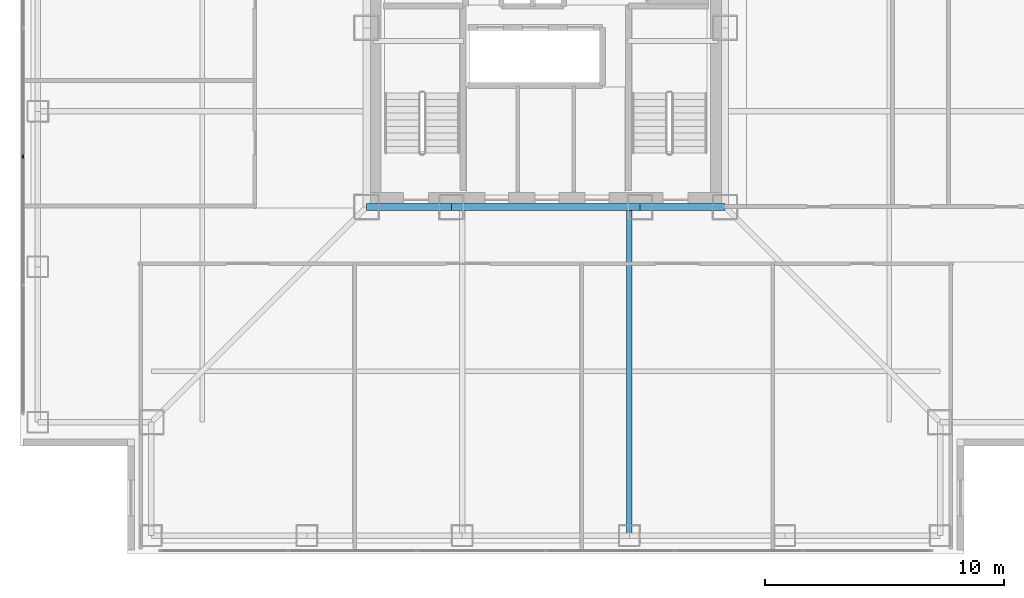
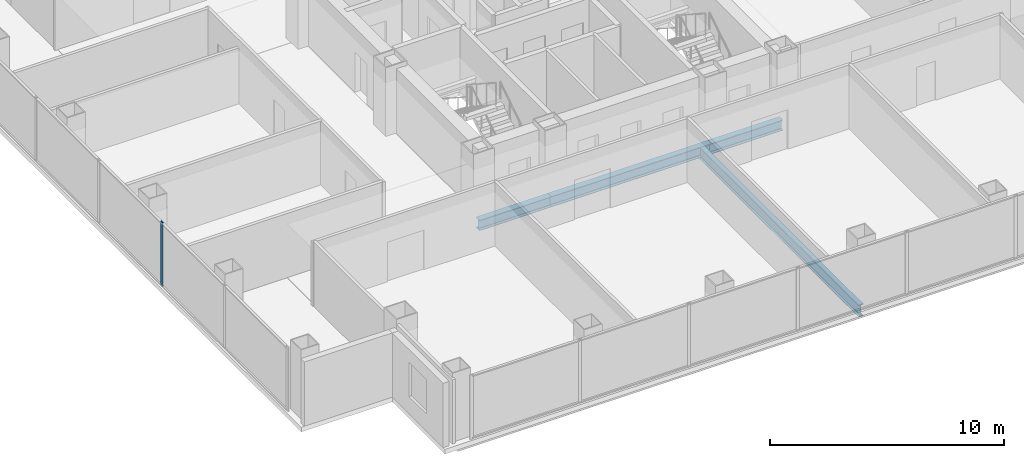
# One storey, part 4 of 17: 4 beams, 1 member, 1 element without a shape of its own.
"""IFC4 building model written with IfcOpenShell, lengths in metres."""

from ifc_helpers import new_model, si_unit, direction, frame, origin, origin_2d, place, context, subcontext, project, spatial, rectangle, i_section, extrude, material, layer, layer_set, material_profile, profile_set, type_object, element, aggregate, save


model = new_model("IFC4")

# Units and contexts
model_context = context("Model", 3, precision=1e-05, world=origin(), true_north=direction((0.0, 1.0)))
body_context = subcontext(model_context, "Body", "Model", "MODEL_VIEW")
ifc_project = project(units=[si_unit("LENGTHUNIT", "METRE"), si_unit("AREAUNIT", "SQUARE_METRE"), si_unit("VOLUMEUNIT", "CUBIC_METRE"), si_unit("PLANEANGLEUNIT", "RADIAN"), si_unit("MASSUNIT", "GRAM", prefix="KILO")], contexts=[model_context])

# Site, building, storey
site_placement = place(None, origin())
site = spatial("IfcSite", under=ifc_project, at=site_placement, CompositionType="ELEMENT")
building_placement = place(site_placement, origin())
building = spatial("IfcBuilding", under=site, at=building_placement, Name="Trevonay Congress Spire", CompositionType="ELEMENT")
storey_placement = place(building_placement, frame((0.0, 0.0, 130.0)))
storey = spatial("IfcBuildingStorey", under=building, at=storey_placement, Name="L33", CompositionType="ELEMENT", Elevation=130.0)

# Beams
ifc_material_1 = material(Name="Steel ASTM A572 Grade 50", Category="steel")
ifc_material_profile_1 = material_profile(ifc_material_1, i_section(OverallWidth=0.31201171875, OverallDepth=0.54296875, WebThickness=0.0126953125, FlangeThickness=0.020263671875, FilletRadius=0.014892578125, at=origin_2d()), Name="W530x150")
ifc_profile_set_1 = profile_set([ifc_material_profile_1], Name="Steel ASTM A572 Grade 50")
beam_type_1 = type_object("IfcBeamType", Name="BM-GIRD-W530X150", PredefinedType="BEAM", material=ifc_profile_set_1)
beam_1_placement = place(storey_placement, frame((-7.5, -7.5, -0.511474609375), z_axis=(1.0, 0.0, 0.0), x_axis=(0.0, 1.0, 0.0)))
element("IfcBeam", 1, at=beam_1_placement, inside=storey, type_object=beam_type_1, Name="L33 structural beam BM-L33-CR-S1", PredefinedType="BEAM", context=body_context, shape_type="SweptSolid", body=[
    extrude(i_section(OverallWidth=0.31201171875, OverallDepth=0.54296875, WebThickness=0.0126953125, FlangeThickness=0.020263671875, FilletRadius=0.014892578125, at=origin_2d()), origin(), (0.0, 0.0, 1.0), 3.550048828125),
])
beam_2_placement = place(storey_placement, frame((-3.949951171875, -7.5, -0.511474609375), z_axis=(1.0, 0.0, 0.0), x_axis=(0.0, 1.0, 0.0)))
element("IfcBeam", 2, at=beam_2_placement, inside=storey, type_object=beam_type_1, Name="L33 structural beam BM-L33-CR-S2", PredefinedType="BEAM", context=body_context, shape_type="SweptSolid", body=[
    extrude(i_section(OverallWidth=0.31201171875, OverallDepth=0.54296875, WebThickness=0.0126953125, FlangeThickness=0.020263671875, FilletRadius=0.014892578125, at=origin_2d()), origin(), (0.0, 0.0, 1.0), 7.89990234375),
])
beam_3_placement = place(storey_placement, frame((3.949951171875, -7.5, -0.511474609375), z_axis=(1.0, 0.0, 0.0), x_axis=(0.0, 1.0, 0.0)))
element("IfcBeam", 3, at=beam_3_placement, inside=storey, type_object=beam_type_1, Name="L33 structural beam BM-L33-CR-S3", PredefinedType="BEAM", context=body_context, shape_type="SweptSolid", body=[
    extrude(i_section(OverallWidth=0.31201171875, OverallDepth=0.54296875, WebThickness=0.0126953125, FlangeThickness=0.020263671875, FilletRadius=0.014892578125, at=origin_2d()), origin(), (0.0, 0.0, 1.0), 3.550048828125),
])
ifc_material_profile_2 = material_profile(ifc_material_1, i_section(OverallWidth=0.22998046875, OverallDepth=0.616943359375, WebThickness=0.01318359375, FlangeThickness=0.022216796875, FilletRadius=0.01611328125, at=origin_2d()), Name="W610x140")
ifc_profile_set_2 = profile_set([ifc_material_profile_2], Name="Steel ASTM A572 Grade 50")
beam_type_2 = type_object("IfcBeamType", Name="BM-GIRD-W610X140", PredefinedType="BEAM", material=ifc_profile_set_2)
beam_4_placement = place(storey_placement, frame((3.5, -7.5, -0.548583984375), z_axis=(0.0, -1.0, 0.0), x_axis=(1.0, 0.0, 0.0)))
element("IfcBeam", 4, at=beam_4_placement, inside=storey, type_object=beam_type_2, Name="L33 structural beam BM-L33-GS-P", PredefinedType="BEAM", context=body_context, shape_type="SweptSolid", body=[
    extrude(i_section(OverallWidth=0.22998046875, OverallDepth=0.616943359375, WebThickness=0.01318359375, FlangeThickness=0.022216796875, FilletRadius=0.01611328125, at=origin_2d()), origin(), (0.0, 0.0, 1.0), 13.75),
])

# Curtain wall, member
ifc_material_2 = material(Name="Pale Anodised Aluminium EN AW-6063-T6", Category="aluminium")
ifc_layer = layer(ifc_material_2, 0.175048828125, Name="Pale Anodised Aluminium EN AW-6063-T6")
ifc_layer_set = layer_set([ifc_layer], Name="Pale Anodised Aluminium EN AW-6063-T6")
curtain_wall_type = type_object("IfcCurtainWallType", Name="CW-SYS03-CONGRESS-PALE-METAL", PredefinedType="NOTDEFINED", material=ifc_layer_set)
curtain_wall_placement = place(storey_placement, origin())
curtain_wall = element("IfcCurtainWall", 5, at=curtain_wall_placement, inside=storey, type_object=curtain_wall_type, Name="L33 W unitised curtain wall", PredefinedType="NOTDEFINED")
ifc_material_profile_3 = material_profile(ifc_material_2, rectangle(XDim=0.06005859375, YDim=0.159912109375, at=origin_2d()), Name="CW-MULLION-160-ALUMINIUM")
ifc_profile_set_3 = profile_set([ifc_material_profile_3], Name="Pale Anodised Aluminium EN AW-6063-T6")
member_type = type_object("IfcMemberType", Name="CW-MULLION-160-ALUMINIUM", PredefinedType="MULLION", material=ifc_profile_set_3)
member_placement = place(storey_placement, frame((-21.8798828125, -5.38330078125, 0.0), z_axis=(0.0, 0.0, 1.0), x_axis=(-1.0, 0.0, 0.0)))
member = element("IfcMember", 6, at=member_placement, type_object=member_type, Name="CW03 mullion 3", PredefinedType="MULLION", context=body_context, shape_type="SweptSolid", body=[
    extrude(rectangle(XDim=0.06005859375, YDim=0.159912109375, at=origin_2d()), origin(), (0.0, 0.0, 1.0), 3.360107421875),
])
aggregate(curtain_wall, [member])

save(model, "model.ifc")
